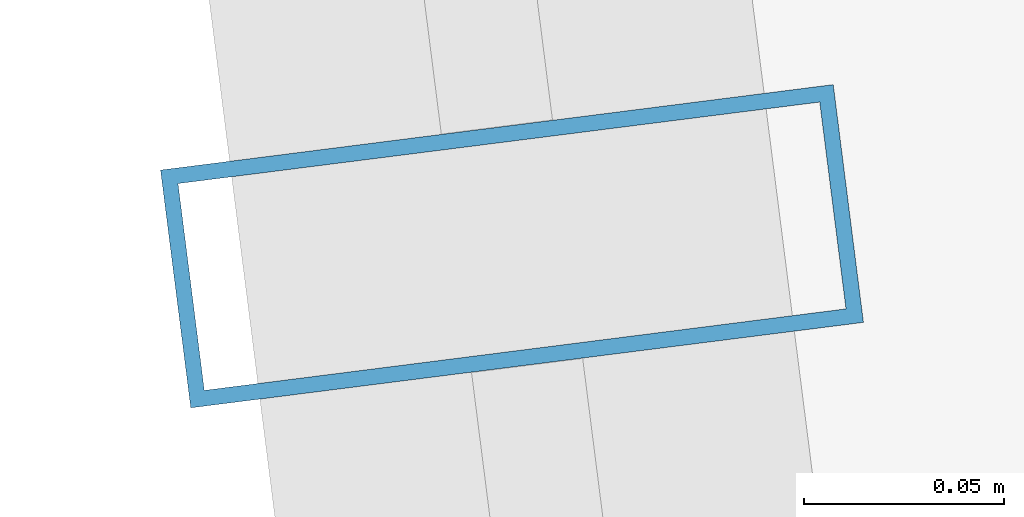
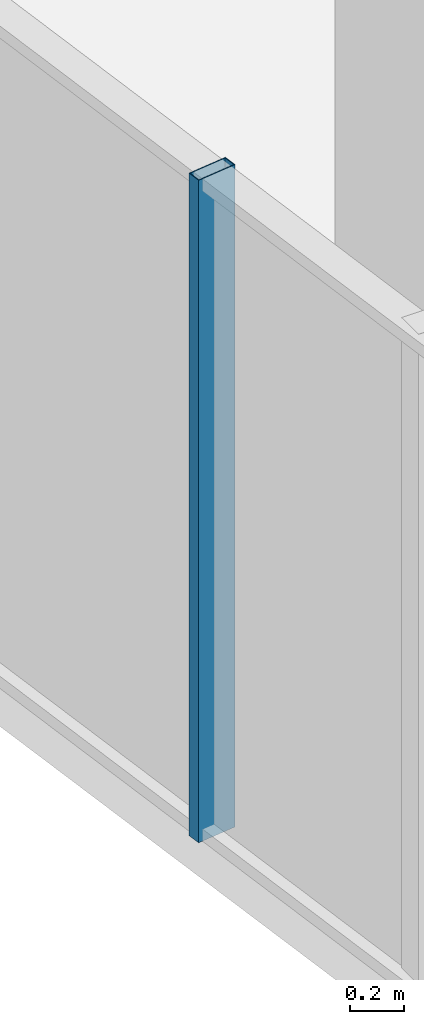
# One storey, part 9 of 33: 1 member, 1 element without a shape of its own.
"""IFC4 building model written with IfcOpenShell, lengths in metres."""

import ifcopenshell
import ifcopenshell.guid

model = None  # the IFC model being written
_history = None  # IfcOwnerHistory: only IFC2X3 demands one
_inside = {}  # id of a spatial element -> (the spatial element, [elements in it])
_under = {}  # id of a project, library or spatial element -> (it, [spatial elements below it])
_declared = {}  # id of a project -> (the project, [libraries it declares])
_typed = {}  # id of a type object -> (the type object, [elements of that type])
_made_of = {}  # id of a material, layer set ... -> (it, [elements and type objects made of it])


def new_model(schema):
    """Start an empty IFC model of exactly this schema.

    Asked for "IFC4X3", IfcOpenShell would pick the latest addendum, in which some entities
    have other attributes; the version numbers below select the first issue.
    IFC2X3 requires an IfcOwnerHistory on every rooted entity: one is made here for all.
    """
    global model, _history
    if schema == "IFC4X3":
        model = ifcopenshell.file(schema_version=(4, 3, 0, 0))
    else:
        model = ifcopenshell.file(schema=schema)
    _inside.clear()
    _under.clear()
    _declared.clear()
    _typed.clear()
    _made_of.clear()
    _history = None
    if model.schema == "IFC2X3":
        org = make("IfcOrganization", Name="unknown")
        user = make(
            "IfcPersonAndOrganization",
            ThePerson=make("IfcPerson", FamilyName="unknown"),
            TheOrganization=org,
        )
        app = make(
            "IfcApplication",
            ApplicationDeveloper=org,
            Version="unknown",
            ApplicationFullName="unknown",
            ApplicationIdentifier="unknown",
        )
        _history = make(
            "IfcOwnerHistory",
            OwningUser=user,
            OwningApplication=app,
            ChangeAction="ADDED",
            CreationDate=0,
        )
    return model


def make(cls, **values):
    """One entity of the class cls with the attributes given. An attribute that is None is left unset."""
    return model.create_entity(
        cls, **{name: value for name, value in values.items() if value is not None}
    )


def rooted(cls, **values):
    """An entity with a GlobalId (a new one), such as an element, a storey or a relation."""
    return make(cls, GlobalId=ifcopenshell.guid.new(), OwnerHistory=_history, **values)


def si_unit(unit_type, name, prefix=None):
    """IfcSIUnit, for example si_unit("LENGTHUNIT", "METRE", prefix="MILLI")."""
    return make("IfcSIUnit", UnitType=unit_type, Prefix=prefix, Name=name)


def assignment(units):
    """IfcUnitAssignment: the units of a project."""
    return None if units is None else make("IfcUnitAssignment", Units=units)


def point(xyz):
    """IfcCartesianPoint."""
    return None if xyz is None else make("IfcCartesianPoint", Coordinates=xyz)


def direction(xyz):
    """IfcDirection."""
    return None if xyz is None else make("IfcDirection", DirectionRatios=xyz)


def frame(location, z_axis=None, x_axis=None):
    """IfcAxis2Placement3D, a coordinate frame: its origin and axes. An axis left out is left unset."""
    return make(
        "IfcAxis2Placement3D",
        Location=point(location),
        Axis=direction(z_axis),
        RefDirection=direction(x_axis),
    )


def frame_2d(location, x_axis=None):
    """IfcAxis2Placement2D, a coordinate frame in the plane: its origin and x axis."""
    return make(
        "IfcAxis2Placement2D", Location=point(location), RefDirection=direction(x_axis)
    )


def origin():
    """The frame at (0, 0, 0) with its axes left unset."""
    return frame((0.0, 0.0, 0.0))


def origin_2d():
    """The frame at (0, 0) in the plane with its x axis left unset."""
    return frame_2d((0.0, 0.0))


def place(relative_to, where):
    """IfcLocalPlacement: puts the frame where relative to a parent placement (None: the world)."""
    return make(
        "IfcLocalPlacement", PlacementRelTo=relative_to, RelativePlacement=where
    )


def context(
    kind, dimensions, precision=None, world=None, true_north=None, identifier=None
):
    """IfcGeometricRepresentationContext, for example the 3D "Model" context."""
    return make(
        "IfcGeometricRepresentationContext",
        ContextIdentifier=identifier,
        ContextType=kind,
        CoordinateSpaceDimension=dimensions,
        Precision=precision,
        WorldCoordinateSystem=world,
        TrueNorth=true_north,
    )


def subcontext(parent, identifier, kind, view, scale=None):
    """IfcGeometricRepresentationSubContext, for example "Body" below "Model"."""
    return make(
        "IfcGeometricRepresentationSubContext",
        ContextIdentifier=identifier,
        ContextType=kind,
        ParentContext=parent,
        TargetScale=scale,
        TargetView=view,
    )


def project(units=None, contexts=None):
    """IfcProject with its units and contexts."""
    return rooted(
        "IfcProject",
        Name="project",
        RepresentationContexts=contexts,
        UnitsInContext=assignment(units),
    )


def spatial(cls, under=None, at=None, **own):
    """A site, building, storey or space (cls), placed at a placement, below another one or the project."""
    s = rooted(cls, ObjectPlacement=at, **own)
    if under is not None:
        _under.setdefault(under.id(), (under, []))[1].append(s)
    return s


def profile(cls, at=None, kind="AREA", **sizes):
    """A parametric profile (cls). Its sizes go by their IFC names, for example OverallWidth=200.0."""
    return make(cls, ProfileType=kind, Position=at, **sizes)


def hollow_rectangle(**sizes):
    """IfcRectangleHollowProfileDef."""
    return profile("IfcRectangleHollowProfileDef", **sizes)


def extrude(swept, where, along, depth):
    """IfcExtrudedAreaSolid: the profile swept, set in the frame where, extruded along a direction by depth."""
    return make(
        "IfcExtrudedAreaSolid",
        SweptArea=swept,
        Position=where,
        ExtrudedDirection=direction(along),
        Depth=depth,
    )


def shape(context_of_items, identifier, shape_type, items):
    """IfcShapeRepresentation: the items that make up one representation, for example the "Body"."""
    return make(
        "IfcShapeRepresentation",
        ContextOfItems=context_of_items,
        RepresentationIdentifier=identifier,
        RepresentationType=shape_type,
        Items=items,
    )


def source(mapping_origin, context_of_items, identifier, shape_type, items):
    """IfcRepresentationMap: a shape defined once, which mapped items show again and again."""
    return make(
        "IfcRepresentationMap",
        MappingOrigin=mapping_origin,
        MappedRepresentation=shape(context_of_items, identifier, shape_type, items),
    )


def transform(
    local_origin,
    x_axis=None,
    y_axis=None,
    z_axis=None,
    scale=None,
    scale2=None,
    scale3=None,
    uniform=True,
):
    """IfcCartesianTransformationOperator3D, or its non-uniform kind. x_axis, y_axis, z_axis: its Axis1, 2, 3."""
    if uniform:
        return make(
            "IfcCartesianTransformationOperator3D",
            Axis1=direction(x_axis),
            Axis2=direction(y_axis),
            LocalOrigin=point(local_origin),
            Scale=scale,
            Axis3=direction(z_axis),
        )
    return make(
        "IfcCartesianTransformationOperator3DnonUniform",
        Axis1=direction(x_axis),
        Axis2=direction(y_axis),
        LocalOrigin=point(local_origin),
        Scale=scale,
        Axis3=direction(z_axis),
        Scale2=scale2,
        Scale3=scale3,
    )


def mapped(mapping_source, mapping_target):
    """IfcMappedItem: shows the shape of a source again, moved by a transform."""
    return make(
        "IfcMappedItem", MappingSource=mapping_source, MappingTarget=mapping_target
    )


def material(Name=None, Category=None):
    """IfcMaterial."""
    return make("IfcMaterial", Name=Name, Category=Category)


def layer(
    of_material, thickness, ventilated=None, Name=None, Category=None, Priority=None
):
    """IfcMaterialLayer: one layer of a wall or slab, of a material (None: an air gap)."""
    return make(
        "IfcMaterialLayer",
        Material=of_material,
        LayerThickness=thickness,
        IsVentilated=ventilated,
        Name=Name,
        Category=Category,
        Priority=Priority,
    )


def layer_set(layers, Name=None):
    """IfcMaterialLayerSet."""
    return make("IfcMaterialLayerSet", MaterialLayers=layers, LayerSetName=Name)


def material_profile(
    of_material, cross_section, Name=None, Category=None, Priority=None
):
    """IfcMaterialProfile: a cross section and its material."""
    return make(
        "IfcMaterialProfile",
        Name=Name,
        Material=of_material,
        Profile=cross_section,
        Priority=Priority,
        Category=Category,
    )


def profile_set(profiles, Name=None, composite=None):
    """IfcMaterialProfileSet."""
    return make(
        "IfcMaterialProfileSet",
        Name=Name,
        MaterialProfiles=profiles,
        CompositeProfile=composite,
    )


def made_of(thing, what):
    """Note that an element or type object is made of a material, layer set ...; save() writes the relation."""
    if what is not None:
        _made_of.setdefault(what.id(), (what, []))[1].append(thing)
    return thing


def type_object(cls, material=None, **own):
    """A type object (cls), such as IfcWallType, which elements share."""
    return made_of(rooted(cls, **own), material)


def element(
    cls,
    number,
    at=None,
    inside=None,
    cuts=None,
    type_object=None,
    material=None,
    context=None,
    identifier="Body",
    shape_type=None,
    held_by="IfcProductDefinitionShape",
    body=None,
    shapes=None,
    **own,
):
    """One element of the class cls, such as IfcWall. Its Tag is "e" and its number.

    at: its placement. inside: the storey or other place that contains it. cuts: it is an
    opening in that element (IfcRelVoidsElement). A single representation is given by context,
    identifier, shape_type and body (its items); several are given by shapes. held_by: the class
    of the entity that holds the representations. save() writes the other relations.
    """
    e = rooted(cls, Tag="e%d" % number, ObjectPlacement=at, **own)
    if body is not None:
        shapes = [shape(context, identifier, shape_type, body)]
    if shapes is not None:
        e.Representation = make(held_by, Representations=shapes)
    if inside is not None:
        _inside.setdefault(inside.id(), (inside, []))[1].append(e)
    if cuts is not None:
        rooted(
            "IfcRelVoidsElement", RelatingBuildingElement=cuts, RelatedOpeningElement=e
        )
    if type_object is not None:
        _typed.setdefault(type_object.id(), (type_object, []))[1].append(e)
    return made_of(e, material)


def aggregate(whole, parts):
    """IfcRelAggregates: a whole, such as a stair, and the parts it consists of."""
    return rooted("IfcRelAggregates", RelatingObject=whole, RelatedObjects=parts)


def save(model, path):
    """Write the relations noted so far, then the file.

    IfcRelAggregates (storeys below a building ...), IfcRelContainedInSpatialStructure (elements
    in a storey), IfcRelDefinesByType, IfcRelAssociatesMaterial and IfcRelDeclares: one each for
    every whole, place, type object, material and project.
    """
    for whole, parts in _under.values():
        aggregate(whole, parts)
    for where, things in _inside.values():
        rooted(
            "IfcRelContainedInSpatialStructure",
            RelatedElements=things,
            RelatingStructure=where,
        )
    for kind, things in _typed.values():
        rooted("IfcRelDefinesByType", RelatedObjects=things, RelatingType=kind)
    for what, things in _made_of.values():
        rooted("IfcRelAssociatesMaterial", RelatedObjects=things, RelatingMaterial=what)
    for by, libraries in _declared.values():
        rooted("IfcRelDeclares", RelatingContext=by, RelatedDefinitions=libraries)
    model.write(path)


model = new_model("IFC4")

# Units and contexts
model_context = context("Model", 3, precision=1e-05, world=origin(), true_north=direction((0.0, 1.0)))
body_context = subcontext(model_context, "Body", "Model", "MODEL_VIEW")
ifc_project = project(units=[si_unit("LENGTHUNIT", "METRE"), si_unit("AREAUNIT", "SQUARE_METRE"), si_unit("VOLUMEUNIT", "CUBIC_METRE"), si_unit("PLANEANGLEUNIT", "RADIAN"), si_unit("MASSUNIT", "GRAM", prefix="KILO")], contexts=[model_context])

# Site, building, storey
site_placement = place(None, origin())
site = spatial("IfcSite", under=ifc_project, at=site_placement, CompositionType="ELEMENT")
building_placement = place(site_placement, origin())
building = spatial("IfcBuilding", under=site, at=building_placement, Name="Veraguas Prism Commons", CompositionType="ELEMENT")
storey_placement = place(building_placement, frame((0.0, 0.0, 152.25)))
storey = spatial("IfcBuildingStorey", under=building, at=storey_placement, Name="L43", CompositionType="ELEMENT", Elevation=152.25)

# Curtain wall, member
ifc_material = material(Name="Anodised aluminium EN AW-6063 T6", Category="aluminium")
ifc_layer = layer(ifc_material, 0.169921875, Name="Unitised Flush Curtain Wall Zone 2", Category="aluminium")
ifc_layer_set = layer_set([ifc_layer], Name="Anodised aluminium EN AW-6063 T6")
curtain_wall_type = type_object("IfcCurtainWallType", Name="Unitised Flush Curtain Wall Zone 2", PredefinedType="NOTDEFINED", material=ifc_layer_set)
curtain_wall_placement = place(storey_placement, origin())
curtain_wall = element("IfcCurtainWall", 1, at=curtain_wall_placement, inside=storey, type_object=curtain_wall_type, Name="Tower Facade Curtain Wall L43-F3", PredefinedType="NOTDEFINED")
ifc_material_profile = material_profile(ifc_material, hollow_rectangle(XDim=0.06005859375, YDim=0.169921875, WallThickness=0.00390625, at=origin_2d()), Name="AL60X170X4")
ifc_profile_set = profile_set([ifc_material_profile], Name="Anodised aluminium EN AW-6063 T6")
member_type = type_object("IfcMemberType", Name="Curtain Wall Mullion Lower AL 60x170x4", PredefinedType="MULLION", material=ifc_profile_set)
shared_shape = source(origin(), body_context, "Body", "SweptSolid", [
    extrude(hollow_rectangle(XDim=0.06005859375, YDim=0.169921875, WallThickness=0.00390625, at=origin_2d()), origin(), (0.0, 0.0, 1.0), 3.0),
])
member_placement = place(storey_placement, frame((4.970458984375, 21.58251953125, 0.0), z_axis=(0.0, 0.0, 1.0), x_axis=(0.126020635446, -0.992027620302, 0.0)))
member = element("IfcMember", 2, at=member_placement, type_object=member_type, Name="CW-Z2 Mullion 3", PredefinedType="MULLION", context=body_context, shape_type="MappedRepresentation", body=[
    mapped(shared_shape, transform((0.0, 0.0, 0.0), scale=1.0)),
])
aggregate(curtain_wall, [member])

save(model, "model.ifc")
